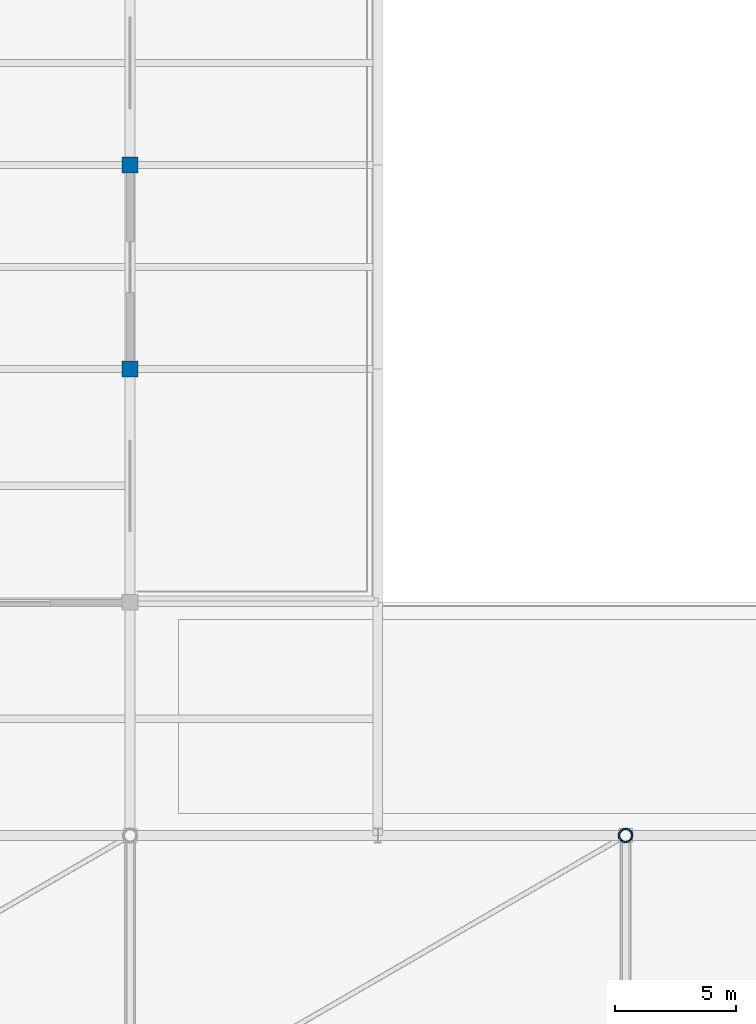
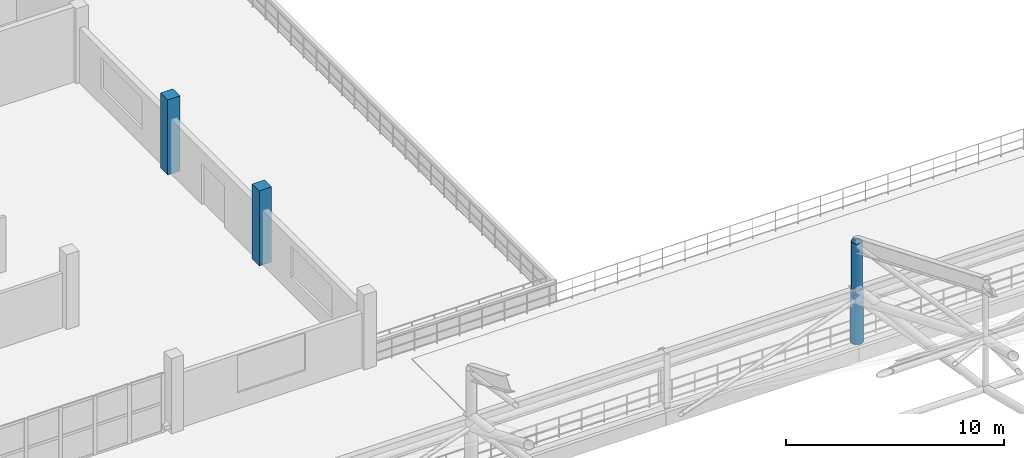
# One storey, part 8 of 135: 4 columns.
"""IFC4 building model written with IfcOpenShell, lengths in metres."""

from ifc_helpers import new_model, si_unit, direction, frame, origin, origin_2d, place, context, subcontext, project, spatial, rectangle, hollow_circle, extrude, material, material_profile, profile_set, type_object, element, save


model = new_model("IFC4")

# Units and contexts
model_context = context("Model", 3, precision=1e-05, world=origin(), true_north=direction((0.0, 1.0)))
body_context = subcontext(model_context, "Body", "Model", "MODEL_VIEW")
ifc_project = project(units=[si_unit("LENGTHUNIT", "METRE"), si_unit("AREAUNIT", "SQUARE_METRE"), si_unit("VOLUMEUNIT", "CUBIC_METRE"), si_unit("PLANEANGLEUNIT", "RADIAN"), si_unit("MASSUNIT", "GRAM", prefix="KILO")], contexts=[model_context])

# Site, building, storey
site_placement = place(None, origin())
site = spatial("IfcSite", under=ifc_project, at=site_placement, CompositionType="ELEMENT")
building_placement = place(site_placement, origin())
building = spatial("IfcBuilding", under=site, at=building_placement, Name="Brelvane Convention Centre", CompositionType="ELEMENT")
storey_placement = place(building_placement, frame((0.0, 0.0, 15.0)))
storey = spatial("IfcBuildingStorey", under=building, at=storey_placement, Name="L03", CompositionType="ELEMENT", Elevation=15.0)

# Columns
ifc_material_1 = material(Name="Concrete M50", Category="concrete")
ifc_material_profile_1 = material_profile(ifc_material_1, rectangle(XDim=0.64990234375, YDim=0.64990234375, at=origin_2d()), Name="RC 650x650")
ifc_profile_set_1 = profile_set([ifc_material_profile_1], Name="Concrete M50")
column_type_1 = type_object("IfcColumnType", Name="RC Column C-RC10 (RC 650x650)", PredefinedType="COLUMN", material=ifc_profile_set_1)
for number, where, z_axis, x_axis, name in (
    (1, (102.0, 118.800048828125, 0.0), (0.0, 0.0, 1.0), (1.0, 0.0, 0.0), "Column 11-M (L03)"),
    (2, (102.0, 127.199951171875, 0.0), (0.0, 0.0, 1.0), (1.0, 0.0, 0.0), "Column 11-N (L03)"),
):
    element("IfcColumn", number, at=place(storey_placement, frame(where, z_axis=z_axis, x_axis=x_axis)), inside=storey, type_object=column_type_1, Name=name, PredefinedType="COLUMN", context=body_context, shape_type="SweptSolid", body=[
        extrude(rectangle(XDim=0.64990234375, YDim=0.64990234375, at=origin_2d()), origin(), (0.0, 0.0, 1.0), 4.199951171875),
    ])
ifc_material_2 = material(Name="Steel E450 (450 MPa)", Category="steel")
ifc_material_profile_2 = material_profile(ifc_material_2, hollow_circle(Radius=0.304931640625, WallThickness=0.02490234375, at=origin_2d()), Name="CHS 610.0x25.0")
ifc_profile_set_2 = profile_set([ifc_material_profile_2], Name="Steel E450 (450 MPa)")
column_type_2 = type_object("IfcColumnType", Name="Steel Column C-ST1 (CHS 610.0x25.0)", PredefinedType="COLUMN", material=ifc_profile_set_2)
column_1_placement = place(storey_placement, frame((122.39990234375, 99.60009765625, 0.0), z_axis=(0.0, 0.0, 1.0), x_axis=(1.0, 0.0, 0.0)))
element("IfcColumn", 3, at=column_1_placement, inside=storey, type_object=column_type_2, Name="Column 13-K (L03)", PredefinedType="COLUMN", context=body_context, shape_type="SweptSolid", body=[
    extrude(hollow_circle(Radius=0.304931640625, WallThickness=0.02490234375, at=origin_2d()), origin(), (0.0, 0.0, 1.0), 3.0),
])
ifc_material_3 = material(Name="Steel E450 (450 MPa)", Category="steel")
ifc_material_profile_3 = material_profile(ifc_material_3, hollow_circle(Radius=0.25390625, WallThickness=0.02001953125, at=origin_2d()), Name="CHS 508.0x20.0")
ifc_profile_set_3 = profile_set([ifc_material_profile_3], Name="Steel E450 (450 MPa)")
column_type_3 = type_object("IfcColumnType", Name="Steel Column C-ST2 (CHS 508.0x20.0)", PredefinedType="COLUMN", material=ifc_profile_set_3)
column_2_placement = place(storey_placement, frame((122.39990234375, 99.60009765625, 3.0), z_axis=(0.0, 0.0, 1.0), x_axis=(1.0, 0.0, 0.0)))
element("IfcColumn", 4, at=column_2_placement, inside=storey, type_object=column_type_3, Name="EXO_EXH Exoskeletal Eaves Mast 7-N", PredefinedType="COLUMN", context=body_context, shape_type="SweptSolid", body=[
    extrude(hollow_circle(Radius=0.25390625, WallThickness=0.02001953125, at=origin_2d()), origin(), (0.0, 0.0, 1.0), 2.60009765625),
])

save(model, "model.ifc")
